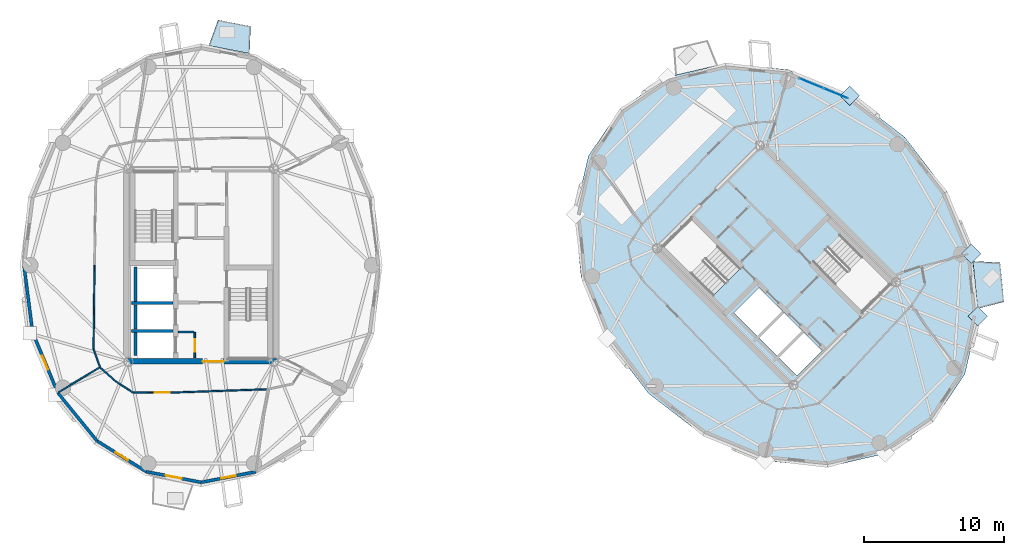
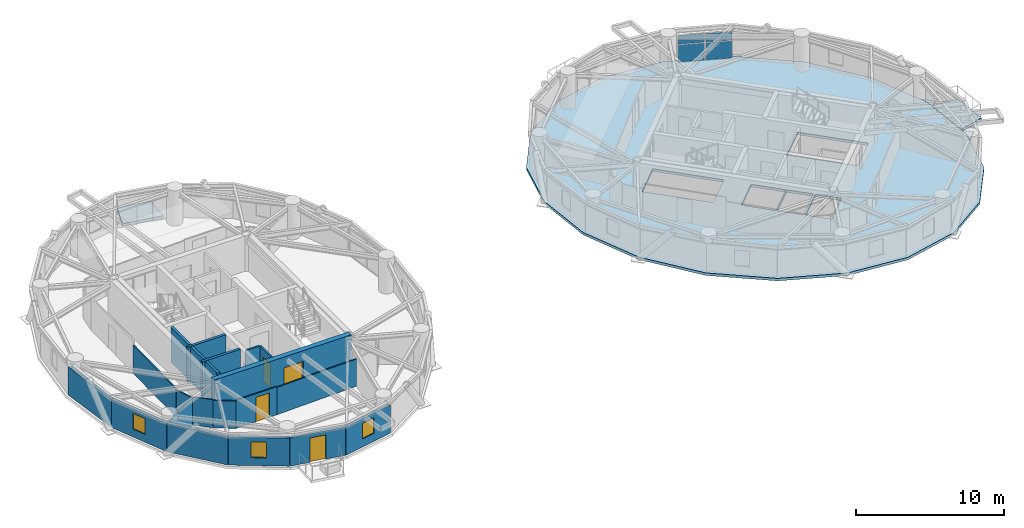
# One storey, part 8 of 16: 21 walls, 7 plates, 4 doors, 3 slabs, 3 windows, 7 openings, 1 element without a shape of its own.
"""IFC4 building model written with IfcOpenShell, lengths in metres."""

from ifc_helpers import new_model, si_unit, direction, frame, frame_2d, origin, origin_2d, place, context, subcontext, project, spatial, polyline, rectangle, outline, extrude, source, transform, mapped, material, layer, layer_set, type_object, element, fill, aggregate, save


model = new_model("IFC4")

# Units and contexts
model_context = context("Model", 3, precision=1e-05, world=origin(), true_north=direction((0.0, 1.0)))
body_context = subcontext(model_context, "Body", "Model", "MODEL_VIEW")
ifc_project = project(units=[si_unit("LENGTHUNIT", "METRE"), si_unit("AREAUNIT", "SQUARE_METRE"), si_unit("VOLUMEUNIT", "CUBIC_METRE"), si_unit("PLANEANGLEUNIT", "RADIAN"), si_unit("MASSUNIT", "GRAM", prefix="KILO")], contexts=[model_context])

# Site, building, storey
site_placement = place(None, origin())
site = spatial("IfcSite", under=ifc_project, at=site_placement, CompositionType="ELEMENT")
building_placement = place(site_placement, origin())
building = spatial("IfcBuilding", under=site, at=building_placement, Name="Cununo Teusaquillo Station Towers", CompositionType="ELEMENT")
storey_placement = place(building_placement, frame((0.0, 0.0, 196.659912109375)))
storey = spatial("IfcBuildingStorey", under=building, at=storey_placement, Name="L62", CompositionType="ELEMENT", Elevation=196.659912109375)

# Slabs
ifc_material_1 = material(Name="Concrete C50/60", Category="concrete")
ifc_layer_1 = layer(ifc_material_1, 0.2099609375)
ifc_layer_set_1 = layer_set([ifc_layer_1], Name="Concrete C50/60")
slab_type_1 = type_object("IfcSlabType", Name="SLB-BAL-210", PredefinedType="FLOOR", material=ifc_layer_set_1)
slab_1_placement = place(storey_placement, frame((0.0, 0.0, -0.2099609375)))
element("IfcSlab", 1, at=slab_1_placement, inside=storey, type_object=slab_type_1, Name="L62 Tower A Tree Balcony Slab 1", PredefinedType="FLOOR", context=body_context, shape_type="SweptSolid", body=[
    extrude(outline(polyline([(19.9501953125, 39.58837890625), (17.041015625, 40.150634765625), (17.69873046875, 41.973876953125), (20.01904296875, 41.525390625), (19.9501953125, 39.58837890625)])), origin(), (0.0, 0.0, 1.0), 0.2099609375),
])
slab_2_placement = place(storey_placement, frame((0.0, 0.0, -0.2099609375)))
element("IfcSlab", 2, at=slab_2_placement, inside=storey, type_object=slab_type_1, Name="L62 Tower B Tree Balcony Slab 2", PredefinedType="FLOOR", context=body_context, shape_type="SweptSolid", body=[
    extrude(outline(polyline([(71.826416015625, 21.403564453125), (71.490478515625, 24.79248046875), (73.42578125, 24.6826171875), (73.702392578125, 21.89111328125), (71.826416015625, 21.403564453125)])), origin(), (0.0, 0.0, 1.0), 0.2099609375),
])
ifc_material_2 = material(Name="Concrete C40/50", Category="concrete")
ifc_layer_2 = layer(ifc_material_2, 0.2099609375)
ifc_layer_set_2 = layer_set([ifc_layer_2], Name="Concrete C40/50")
slab_type_2 = type_object("IfcSlabType", Name="SLB-Z4-200", PredefinedType="FLOOR", material=ifc_layer_set_2)
slab_3_placement = place(storey_placement, frame((0.0, 0.0, -0.2099609375)))
element("IfcSlab", 3, at=slab_3_placement, inside=storey, type_object=slab_type_2, Name="L62 Tower B Floor Slab", PredefinedType="FLOOR", context=body_context, shape_type="SweptSolid", body=[
    extrude(outline(polyline([(66.628662109375, 33.628662109375), (62.740478515625, 36.623291015625), (58.339111328125, 38.431396484375), (53.855712890625, 38.875732421875), (49.72900390625, 37.912841796875), (46.363037109375, 35.636962890625), (44.087158203125, 32.27099609375), (43.124267578125, 28.144287109375), (43.568603515625, 23.660888671875), (45.376708984375, 19.259521484375), (48.371337890625, 15.371337890625), (52.259521484375, 12.376708984375), (56.660888671875, 10.568603515625), (61.144287109375, 10.124267578125), (65.27099609375, 11.087158203125), (68.636962890625, 13.363037109375), (70.912841796875, 16.72900390625), (71.875732421875, 20.855712890625), (71.431396484375, 25.339111328125), (69.623291015625, 29.740478515625), (66.628662109375, 33.628662109375)]), holes=[polyline([(54.914794921875, 24.28515625), (51.390625, 27.809326171875), (49.43896484375, 25.857666015625), (52.963134765625, 22.33349609375), (54.914794921875, 24.28515625)]), polyline([(60.085205078125, 24.71484375), (63.609375, 21.190673828125), (65.56103515625, 23.142333984375), (62.036865234375, 26.66650390625), (60.085205078125, 24.71484375)]), polyline([(56.156494140625, 19.40869140625), (57.945556640625, 21.19775390625), (56.248291015625, 22.89501953125), (54.45947265625, 21.10595703125), (56.156494140625, 19.40869140625)]), polyline([(58.94970703125, 16.61572265625), (60.738525390625, 18.40478515625), (59.430419921875, 19.712890625), (57.641357421875, 17.923828125), (58.94970703125, 16.61572265625)]), polyline([(57.535400390625, 18.030029296875), (59.32421875, 19.819091796875), (58.01611328125, 21.127197265625), (56.227294921875, 19.338134765625), (57.535400390625, 18.030029296875)])]), origin(), (0.0, 0.0, 1.0), 0.2099609375),
])

# Plates
ifc_material_3 = material(Name="Steel ASTM A572 Grade 50", Category="steel")
ifc_layer_3 = layer(ifc_material_3, 0.054931640625)
ifc_layer_set_3 = layer_set([ifc_layer_3], Name="Steel ASTM A572 Grade 50")
plate_type_1 = type_object("IfcPlateType", Name="PLT-NODE-KDN1", PredefinedType="USERDEFINED", material=ifc_layer_set_3)
shared_shape_1 = source(origin(), body_context, "Body", "SweptSolid", [
    extrude(rectangle(XDim=0.97998046875, YDim=0.97998046875, at=origin_2d()), origin(), (0.0, 0.0, 1.0), 0.054931640625),
])
for number, where, z_axis, x_axis, name in (
    (4, (62.713134765625, 36.570068359375, -0.16748046875), (0.0, 0.0, 1.0), (0.707106781187, 0.707106781187, 0.0), "L62 Tower B Diagrid Node Assembly C00"),
    (5, (71.81640625, 20.864990234375, -0.16748046875), (0.0, 0.0, 1.0), (0.707106781187, 0.707106781187, 0.0), "L62 Tower B Diagrid Node Assembly C16"),
    (6, (71.372314453125, 25.329833984375, -0.16748046875), (0.0, 0.0, 1.0), (0.707106781187, 0.707106781187, 0.0), "L62 Tower B Diagrid Node Assembly C18"),
):
    element("IfcPlate", number, at=place(storey_placement, frame(where, z_axis=z_axis, x_axis=x_axis)), inside=storey, type_object=plate_type_1, Name=name, ObjectType="GUSSET PLATE", PredefinedType="USERDEFINED", context=body_context, shape_type="MappedRepresentation", body=[
        mapped(shared_shape_1, transform((0.0, 0.0, 0.0), x_axis=(1.0, 0.0, 0.0), y_axis=(0.0, 1.0, 0.0), z_axis=(0.0, 0.0, 1.0), scale=1.0)),
    ])

# Curtain wall, plates
ifc_material_4 = material(Name="Ceramic-fritted dark low-E double glazing", Category="glass")
ifc_layer_4 = layer(ifc_material_4, 0.179931640625)
ifc_layer_set_4 = layer_set([ifc_layer_4], Name="Ceramic-fritted dark low-E double glazing")
curtain_wall_type = type_object("IfcCurtainWallType", Name="CW-SYS-07", PredefinedType="USERDEFINED", material=ifc_layer_set_4)
curtain_wall_placement = place(storey_placement, origin())
curtain_wall = element("IfcCurtainWall", 7, at=curtain_wall_placement, inside=storey, type_object=curtain_wall_type, Name="L62 Tower B Facade Curtain Wall C01", ObjectType="FRITTED GLAZING", PredefinedType="USERDEFINED")
ifc_material_5 = material(Name="Ceramic-fritted dark low-E double glazing", Category="glass")
ifc_layer_5 = layer(ifc_material_5, 0.028076171875)
ifc_layer_set_5 = layer_set([ifc_layer_5], Name="Ceramic-fritted dark low-E double glazing")
plate_type_2 = type_object("IfcPlateType", Name="CWP-FRIT-28", PredefinedType="CURTAIN_PANEL", material=ifc_layer_set_5)
shared_shape_2 = source(origin(), body_context, "Body", "SweptSolid", [
    extrude(rectangle(XDim=1.81298828125, YDim=0.028076171875, at=origin_2d()), origin(), (0.0, 0.0, 1.0), 1.41162109375),
])
plate_1_placement = place(storey_placement, frame((59.979248046875, 37.46044921875, 0.06494140625), z_axis=(0.0, 0.0, 1.0), x_axis=(0.924447019904, -0.381310513086, 0.0)))
plate_1 = element("IfcPlate", 8, at=plate_1_placement, type_object=plate_type_2, Name="CW-07 panel 1.1", PredefinedType="CURTAIN_PANEL", context=body_context, shape_type="MappedRepresentation", body=[
    mapped(shared_shape_2, transform((0.0, 0.0, 0.0), x_axis=(1.0, 0.0, 0.0), y_axis=(0.0, 1.0, 0.0), z_axis=(0.0, 0.0, 1.0), scale=1.0)),
])
plate_2_placement = place(storey_placement, frame((61.71533203125, 36.744384765625, 0.06494140625), z_axis=(0.0, 0.0, 1.0), x_axis=(0.924447019904, -0.381310513086, 0.0)))
plate_2 = element("IfcPlate", 9, at=plate_2_placement, type_object=plate_type_2, Name="CW-07 panel 2.1", PredefinedType="CURTAIN_PANEL", context=body_context, shape_type="MappedRepresentation", body=[
    mapped(shared_shape_2, transform((0.0, 0.0, 0.0), x_axis=(1.0, 0.0, 0.0), y_axis=(0.0, 1.0, 0.0), z_axis=(0.0, 0.0, 1.0), scale=1.0)),
])
shared_shape_3 = source(origin(), body_context, "Body", "SweptSolid", [
    extrude(rectangle(XDim=1.81298828125, YDim=0.028076171875, at=origin_2d()), origin(), (0.0, 0.0, 1.0), 0.715576171875),
])
plate_3_placement = place(storey_placement, frame((59.979248046875, 37.46044921875, 1.54150390625), z_axis=(0.0, 0.0, 1.0), x_axis=(0.924447019904, -0.381310513086, 0.0)))
plate_3 = element("IfcPlate", 10, at=plate_3_placement, type_object=plate_type_2, Name="CW-07 panel 1.2", PredefinedType="CURTAIN_PANEL", context=body_context, shape_type="MappedRepresentation", body=[
    mapped(shared_shape_3, transform((0.0, 0.0, 0.0), x_axis=(1.0, 0.0, 0.0), y_axis=(0.0, 1.0, 0.0), z_axis=(0.0, 0.0, 1.0), scale=1.0)),
])
plate_4_placement = place(storey_placement, frame((61.71533203125, 36.744384765625, 1.54150390625), z_axis=(0.0, 0.0, 1.0), x_axis=(0.924447019904, -0.381310513086, 0.0)))
plate_4 = element("IfcPlate", 11, at=plate_4_placement, type_object=plate_type_2, Name="CW-07 panel 2.2", PredefinedType="CURTAIN_PANEL", context=body_context, shape_type="MappedRepresentation", body=[
    mapped(shared_shape_3, transform((0.0, 0.0, 0.0), x_axis=(1.0, 0.0, 0.0), y_axis=(0.0, 1.0, 0.0), z_axis=(0.0, 0.0, 1.0), scale=1.0)),
])
aggregate(curtain_wall, [plate_1, plate_3, plate_2, plate_4])

# Walls
ifc_material_6 = material(Name="Concrete C50/60", Category="concrete")
ifc_layer_6 = layer(ifc_material_6, 0.199951171875)
ifc_layer_set_6 = layer_set([ifc_layer_6], Name="Concrete C50/60")
wall_type_1 = type_object("IfcWallType", Name="WL-CORE-200", PredefinedType="SHEAR", material=ifc_layer_set_6)
wall_1_placement = place(storey_placement, frame((11.52001953125, 21.800048828125, 0.0), z_axis=(0.0, 0.0, 1.0), x_axis=(1.0, 0.0, 0.0)))
element("IfcWall", 12, at=wall_1_placement, inside=storey, type_object=wall_type_1, Name="L62 Tower A Firefighting Lift Shaft South Shear Wall", PredefinedType="SHEAR", context=body_context, shape_type="SweptSolid", body=[
    extrude(rectangle(XDim=2.969970703125, YDim=0.199951171875, at=frame_2d((1.48486328125, 0.0))), origin(), (0.0, 0.0, 1.0), 2.91015625),
])
wall_2_placement = place(storey_placement, frame((11.820068359375, 21.919921875, 0.0), z_axis=(0.0, 0.0, 1.0), x_axis=(0.0, 1.0, 0.0)))
element("IfcWall", 13, at=wall_2_placement, inside=storey, type_object=wall_type_1, Name="L62 Tower A Firefighting Lift Shaft Rear Shear Wall", PredefinedType="SHEAR", context=body_context, shape_type="SweptSolid", body=[
    extrude(rectangle(XDim=2.440185546875, YDim=0.199951171875, at=frame_2d((1.22021484375, 0.0))), origin(), (0.0, 0.0, 1.0), 2.91015625),
])
wall_3_placement = place(storey_placement, frame((11.52001953125, 19.824951171875, 0.0), z_axis=(0.0, 0.0, 1.0), x_axis=(1.0, 0.0, 0.0)))
element("IfcWall", 14, at=wall_3_placement, inside=storey, type_object=wall_type_1, Name="L62 Tower A High-Rise Lift Hoistway Divider Shear Wall", PredefinedType="SHEAR", context=body_context, shape_type="SweptSolid", body=[
    extrude(rectangle(XDim=2.969970703125, YDim=0.199951171875, at=frame_2d((1.48486328125, 0.0))), origin(), (0.0, 0.0, 1.0), 2.91015625),
])
wall_4_placement = place(storey_placement, frame((11.820068359375, 19.945068359375, 0.0), z_axis=(0.0, 0.0, 1.0), x_axis=(0.0, 1.0, 0.0)))
element("IfcWall", 15, at=wall_4_placement, inside=storey, type_object=wall_type_1, Name="L62 Tower A High-Rise Lift 2 Shaft Rear Shear Wall", PredefinedType="SHEAR", context=body_context, shape_type="SweptSolid", body=[
    extrude(rectangle(XDim=1.73486328125, YDim=0.199951171875, at=frame_2d((0.867431640625, 0.0))), origin(), (0.0, 0.0, 1.0), 2.91015625),
])
wall_5_placement = place(storey_placement, frame((11.820068359375, 18.070068359375, 0.0), z_axis=(0.0, 0.0, 1.0), x_axis=(0.0, 1.0, 0.0)))
element("IfcWall", 16, at=wall_5_placement, inside=storey, type_object=wall_type_1, Name="L62 Tower A High-Rise Lift 1 Shaft Rear Shear Wall", PredefinedType="SHEAR", context=body_context, shape_type="SweptSolid", body=[
    extrude(rectangle(XDim=1.635009765625, YDim=0.199951171875, at=frame_2d((0.8173828125, 0.0))), origin(), (0.0, 0.0, 1.0), 2.91015625),
])

# Wall, opening, door
ifc_material_7 = material(Name="Concrete C50/60", Category="concrete")
ifc_layer_7 = layer(ifc_material_7, 0.39990234375)
ifc_layer_set_7 = layer_set([ifc_layer_7], Name="Concrete C50/60")
wall_type_2 = type_object("IfcWallType", Name="WL-CORE-400", PredefinedType="SHEAR", material=ifc_layer_set_7)
wall_6_placement = place(storey_placement, frame((11.14990234375, 17.64990234375, 0.0), z_axis=(0.0, 0.0, 1.0), x_axis=(1.0, 0.0, 0.0)))
wall_6 = element("IfcWall", 17, at=wall_6_placement, inside=storey, type_object=wall_type_2, Name="L62 Tower A Core Shear Wall S", PredefinedType="SHEAR", context=body_context, shape_type="SweptSolid", body=[
    extrude(rectangle(XDim=10.7001953125, YDim=0.39990234375, at=frame_2d((5.35009765625, 0.0))), origin(), (0.0, 0.0, 1.0), 2.91015625),
])
shared_shape_4 = source(origin(), body_context, "Body", "SweptSolid", [
    extrude(rectangle(XDim=1.5, YDim=2.02001953125, at=frame_2d((0.75, 1.010009765625))), frame((0.0, 0.2099609375, 0.0), z_axis=(0.0, -1.0, 0.0), x_axis=(1.0, 0.0, 0.0)), (0.0, 0.0, 1.0), 0.419921875),
])
opening_1_placement = place(wall_6_placement, frame((5.449951171875, 0.0, 0.0)))
opening_1 = element("IfcOpeningElement", 18, at=opening_1_placement, cuts=wall_6, Name="Opening D-LB1", PredefinedType="OPENING", context=body_context, shape_type="MappedRepresentation", body=[
    mapped(shared_shape_4, transform((0.0, 0.0, 0.0), x_axis=(1.0, 0.0, 0.0), y_axis=(0.0, 1.0, 0.0), z_axis=(0.0, 0.0, 1.0), scale=1.0)),
])
ifc_material_8 = material(Name="Galvanised fire-rated hollow steel door assembly", Category="steel")
door_type_1 = type_object("IfcDoorType", Name="DR-LOBBY-1500", OperationType="DOUBLE_DOOR_SINGLE_SWING", PredefinedType="DOOR", material=ifc_material_8)
shared_shape_5 = source(origin(), body_context, "Body", "SweptSolid", [
    extrude(rectangle(XDim=1.5, YDim=2.02001953125, at=frame_2d((0.75, 1.010009765625))), frame((0.0, 0.02490234375, 0.0), z_axis=(0.0, -1.0, 0.0), x_axis=(1.0, 0.0, 0.0)), (0.0, 0.0, 1.0), 0.050048828125),
])
door_1_placement = place(opening_1_placement, origin())
door_1 = element("IfcDoor", 19, at=door_1_placement, inside=storey, type_object=door_type_1, Name="L62 Tower A South Core Lift Lobby Door", OperationType="DOUBLE_DOOR_SINGLE_SWING", OverallHeight=2.02001953125, OverallWidth=1.5, PredefinedType="DOOR", context=body_context, shape_type="MappedRepresentation", body=[
    mapped(shared_shape_5, transform((0.0, 0.0, 0.0), x_axis=(1.0, 0.0, 0.0), y_axis=(0.0, 1.0, 0.0), z_axis=(0.0, 0.0, 1.0), scale=1.0)),
])
fill(opening_1, door_1)

# Wall
ifc_material_9 = material(Name="Precast concrete C40/50", Category="concrete")
ifc_layer_8 = layer(ifc_material_9, 0.219970703125)
ifc_layer_set_8 = layer_set([ifc_layer_8], Name="Precast concrete C40/50")
wall_type_3 = type_object("IfcWallType", Name="WL-EXT-220", PredefinedType="SOLIDWALL", material=ifc_layer_set_8)
wall_7_placement = place(storey_placement, frame((4.48828125, 19.719482421875, 0.0), z_axis=(0.0, 0.0, 1.0), x_axis=(-0.128241318541, 0.991742993027, 0.0)))
element("IfcWall", 20, at=wall_7_placement, inside=storey, type_object=wall_type_3, Name="L62 Tower A Exterior Facade Wall C10", PredefinedType="SOLIDWALL", context=body_context, shape_type="SweptSolid", body=[
    extrude(rectangle(XDim=4.8203125, YDim=0.219970703125, at=frame_2d((2.41015625, 0.0))), origin(), (0.0, 0.0, 1.0), 2.322021484375),
])

# Wall, opening, window
wall_8_placement = place(storey_placement, frame((6.281982421875, 15.406982421875, 0.0), z_axis=(0.0, 0.0, 1.0), x_axis=(-0.384036305194, 0.923317993052, 0.0)))
wall_8 = element("IfcWall", 21, at=wall_8_placement, inside=storey, type_object=wall_type_3, Name="L62 Tower A Exterior Facade Wall C11", PredefinedType="SOLIDWALL", context=body_context, shape_type="SweptSolid", body=[
    extrude(rectangle(XDim=4.670654296875, YDim=0.219970703125, at=frame_2d((2.33544921875, 0.0))), origin(), (0.0, 0.0, 1.0), 2.322021484375),
])
shared_shape_6 = source(origin(), body_context, "Body", "SweptSolid", [
    extrude(rectangle(XDim=1.050048828125, YDim=1.300048828125, at=frame_2d((0.52490234375, 0.64990234375))), frame((0.0, 0.119873046875, 0.0), z_axis=(0.0, -1.0, 0.0), x_axis=(1.0, 0.0, 0.0)), (0.0, 0.0, 1.0), 0.239990234375),
])
opening_2_placement = place(wall_8_placement, frame((1.81005859375, 0.0, 0.64990234375)))
opening_2 = element("IfcOpeningElement", 22, at=opening_2_placement, cuts=wall_8, Name="Opening WN-04", PredefinedType="OPENING", context=body_context, shape_type="MappedRepresentation", body=[
    mapped(shared_shape_6, transform((0.0, 0.0, 0.0), x_axis=(1.0, 0.0, 0.0), y_axis=(0.0, 1.0, 0.0), z_axis=(0.0, 0.0, 1.0), scale=1.0)),
])
ifc_material_10 = material(Name="Operable acoustic tinted low-E double glazing", Category="glass")
window_type = type_object("IfcWindowType", Name="WIN-BAL-1050", PartitioningType="SINGLE_PANEL", PredefinedType="WINDOW", material=ifc_material_10)
shared_shape_7 = source(origin(), body_context, "Body", "SweptSolid", [
    extrude(rectangle(XDim=1.050048828125, YDim=1.300048828125, at=frame_2d((0.52490234375, 0.64990234375))), frame((0.0, 0.030029296875, 0.0), z_axis=(0.0, -1.0, 0.0), x_axis=(1.0, 0.0, 0.0)), (0.0, 0.0, 1.0), 0.06005859375),
])
window_1_placement = place(opening_2_placement, origin())
window_1 = element("IfcWindow", 23, at=window_1_placement, inside=storey, type_object=window_type, Name="L62 Tower A Facade Window C11", OverallHeight=1.300048828125, OverallWidth=1.050048828125, PartitioningType="SINGLE_PANEL", PredefinedType="WINDOW", context=body_context, shape_type="MappedRepresentation", body=[
    mapped(shared_shape_7, transform((0.0, 0.0, 0.0), x_axis=(1.0, 0.0, 0.0), y_axis=(0.0, 1.0, 0.0), z_axis=(0.0, 0.0, 1.0), scale=1.0)),
])
fill(opening_2, window_1)

# Wall
wall_9_placement = place(storey_placement, frame((9.076416015625, 11.984619140625, 0.0), z_axis=(0.0, 0.0, 1.0), x_axis=(-0.632467166636, 0.774587169483, 0.0)))
element("IfcWall", 24, at=wall_9_placement, inside=storey, type_object=wall_type_3, Name="L62 Tower A Exterior Facade Wall C12", PredefinedType="SOLIDWALL", context=body_context, shape_type="SweptSolid", body=[
    extrude(rectangle(XDim=4.418212890625, YDim=0.219970703125, at=frame_2d((2.208984375, 0.0))), origin(), (0.0, 0.0, 1.0), 2.322021484375),
])

# Wall, opening, window
wall_10_placement = place(storey_placement, frame((12.59716796875, 9.787109375, 0.0), z_axis=(0.0, 0.0, 1.0), x_axis=(-0.848318713376, 0.529485939886, 0.0)))
wall_10 = element("IfcWall", 25, at=wall_10_placement, inside=storey, type_object=wall_type_3, Name="L62 Tower A Exterior Facade Wall C13", PredefinedType="SOLIDWALL", context=body_context, shape_type="SweptSolid", body=[
    extrude(rectangle(XDim=4.150390625, YDim=0.219970703125, at=frame_2d((2.0751953125, 0.0))), origin(), (0.0, 0.0, 1.0), 2.322021484375),
])
opening_3_placement = place(wall_10_placement, frame((1.550048828125, 0.0, 0.64990234375)))
opening_3 = element("IfcOpeningElement", 26, at=opening_3_placement, cuts=wall_10, Name="Opening WN-04", PredefinedType="OPENING", context=body_context, shape_type="MappedRepresentation", body=[
    mapped(shared_shape_6, transform((0.0, 0.0, 0.0), x_axis=(1.0, 0.0, 0.0), y_axis=(0.0, 1.0, 0.0), z_axis=(0.0, 0.0, 1.0), scale=1.0)),
])
window_2_placement = place(opening_3_placement, origin())
window_2 = element("IfcWindow", 27, at=window_2_placement, inside=storey, type_object=window_type, Name="L62 Tower A Facade Window C13", OverallHeight=1.300048828125, OverallWidth=1.050048828125, PartitioningType="SINGLE_PANEL", PredefinedType="WINDOW", context=body_context, shape_type="MappedRepresentation", body=[
    mapped(shared_shape_7, transform((0.0, 0.0, 0.0), x_axis=(1.0, 0.0, 0.0), y_axis=(0.0, 1.0, 0.0), z_axis=(0.0, 0.0, 1.0), scale=1.0)),
])
fill(opening_3, window_2)

# Wall, opening, door
wall_11_placement = place(storey_placement, frame((16.5, 9.030029296875, 0.0), z_axis=(0.0, 0.0, 1.0), x_axis=(-0.981700307484, 0.190432419211, 0.0)))
wall_11 = element("IfcWall", 28, at=wall_11_placement, inside=storey, type_object=wall_type_3, Name="L62 Tower A Exterior Facade Wall C14", PredefinedType="SOLIDWALL", context=body_context, shape_type="SweptSolid", body=[
    extrude(rectangle(XDim=3.9755859375, YDim=0.219970703125, at=frame_2d((1.98779296875, 0.0))), origin(), (0.0, 0.0, 1.0), 2.322021484375),
])
shared_shape_8 = source(origin(), body_context, "Body", "SweptSolid", [
    extrude(rectangle(XDim=1.14990234375, YDim=2.0048828125, at=frame_2d((0.574951171875, 1.00244140625))), frame((0.0, 0.119873046875, 0.0), z_axis=(0.0, -1.0, 0.0), x_axis=(1.0, 0.0, 0.0)), (0.0, 0.0, 1.0), 0.239990234375),
])
opening_4_placement = place(wall_11_placement, frame((1.4130859375, 0.0, 0.0)))
opening_4 = element("IfcOpeningElement", 29, at=opening_4_placement, cuts=wall_11, Name="Opening ED-03", PredefinedType="OPENING", context=body_context, shape_type="MappedRepresentation", body=[
    mapped(shared_shape_8, transform((0.0, 0.0, 0.0), x_axis=(1.0, 0.0, 0.0), y_axis=(0.0, 1.0, 0.0), z_axis=(0.0, 0.0, 1.0), scale=1.0)),
])
ifc_material_11 = material(Name="Anodised dark bronze aluminium EN AW-6063-T6", Category="aluminium")
door_type_2 = type_object("IfcDoorType", Name="DR-EXT-BAL", OperationType="NOTDEFINED", PredefinedType="DOOR", material=ifc_material_11)
shared_shape_9 = source(origin(), body_context, "Body", "SweptSolid", [
    extrude(rectangle(XDim=1.14990234375, YDim=2.0048828125, at=frame_2d((0.574951171875, 1.00244140625))), frame((0.0, 0.02490234375, 0.0), z_axis=(0.0, -1.0, 0.0), x_axis=(1.0, 0.0, 0.0)), (0.0, 0.0, 1.0), 0.050048828125),
])
door_2_placement = place(opening_4_placement, origin())
door_2 = element("IfcDoor", 30, at=door_2_placement, inside=storey, type_object=door_type_2, Name="L62 Tower A Tree Balcony Door C14", OperationType="SINGLE_SWING_LEFT", OverallHeight=2.0048828125, OverallWidth=1.14990234375, PredefinedType="DOOR", context=body_context, shape_type="MappedRepresentation", body=[
    mapped(shared_shape_9, transform((0.0, 0.0, 0.0), x_axis=(1.0, 0.0, 0.0), y_axis=(0.0, 1.0, 0.0), z_axis=(0.0, 0.0, 1.0), scale=1.0)),
])
fill(opening_4, door_2)

# Wall, opening, window
wall_12_placement = place(storey_placement, frame((20.40283203125, 9.787109375, 0.0), z_axis=(0.0, 0.0, 1.0), x_axis=(-0.981700307484, -0.190432419211, 0.0)))
wall_12 = element("IfcWall", 31, at=wall_12_placement, inside=storey, type_object=wall_type_3, Name="L62 Tower A Exterior Facade Wall C15", PredefinedType="SOLIDWALL", context=body_context, shape_type="SweptSolid", body=[
    extrude(rectangle(XDim=3.9755859375, YDim=0.219970703125, at=frame_2d((1.98779296875, 0.0))), origin(), (0.0, 0.0, 1.0), 2.322021484375),
])
opening_5_placement = place(wall_12_placement, frame((1.462890625, 0.0, 0.64990234375)))
opening_5 = element("IfcOpeningElement", 32, at=opening_5_placement, cuts=wall_12, Name="Opening WN-04", PredefinedType="OPENING", context=body_context, shape_type="MappedRepresentation", body=[
    mapped(shared_shape_6, transform((0.0, 0.0, 0.0), x_axis=(1.0, 0.0, 0.0), y_axis=(0.0, 1.0, 0.0), z_axis=(0.0, 0.0, 1.0), scale=1.0)),
])
window_3_placement = place(opening_5_placement, origin())
window_3 = element("IfcWindow", 33, at=window_3_placement, inside=storey, type_object=window_type, Name="L62 Tower A Facade Window C15", OverallHeight=1.300048828125, OverallWidth=1.050048828125, PartitioningType="SINGLE_PANEL", PredefinedType="WINDOW", context=body_context, shape_type="MappedRepresentation", body=[
    mapped(shared_shape_7, transform((0.0, 0.0, 0.0), x_axis=(1.0, 0.0, 0.0), y_axis=(0.0, 1.0, 0.0), z_axis=(0.0, 0.0, 1.0), scale=1.0)),
])
fill(opening_5, window_3)

# Walls
ifc_material_12 = material(Name="Fire-rated gypsum plasterboard partition assembly", Category="gypsum")
ifc_layer_9 = layer(ifc_material_12, 0.10009765625)
ifc_layer_set_9 = layer_set([ifc_layer_9], Name="Fire-rated gypsum plasterboard partition assembly")
wall_type_4 = type_object("IfcWallType", Name="WL-PART-100", PredefinedType="MOVABLE", material=ifc_layer_set_9)
wall_13_placement = place(storey_placement, frame((8.89990234375, 24.5, 0.0), z_axis=(0.0, 0.0, 1.0), x_axis=(-0.011416369353, -0.999934831132, 0.0)))
element("IfcWall", 34, at=wall_13_placement, inside=storey, type_object=wall_type_4, Name="L62 Tower A Corridor Ring Wall C10", PredefinedType="MOVABLE", context=body_context, shape_type="SweptSolid", body=[
    extrude(rectangle(XDim=5.966552734375, YDim=0.10009765625, at=frame_2d((2.9833984375, 0.0))), origin(), (0.0, 0.0, 1.0), 2.322021484375),
])
wall_14_placement = place(storey_placement, frame((8.831787109375, 18.533935546875, 0.0), z_axis=(0.0, 0.0, 1.0), x_axis=(0.332031819657, -0.943268186008, 0.0)))
element("IfcWall", 35, at=wall_14_placement, inside=storey, type_object=wall_type_4, Name="L62 Tower A Corridor Ring Wall C11", PredefinedType="MOVABLE", context=body_context, shape_type="SweptSolid", body=[
    extrude(rectangle(XDim=1.377197265625, YDim=0.10009765625, at=frame_2d((0.6884765625, 0.0))), origin(), (0.0, 0.0, 1.0), 2.255126953125),
])
wall_15_placement = place(storey_placement, frame((9.2890625, 17.23486328125, 0.0), z_axis=(0.0, 0.0, 1.0), x_axis=(0.739015164946, -0.673688790155, 0.0)))
element("IfcWall", 36, at=wall_15_placement, inside=storey, type_object=wall_type_4, Name="L62 Tower A Corridor Ring Wall C12", PredefinedType="MOVABLE", context=body_context, shape_type="SweptSolid", body=[
    extrude(rectangle(XDim=1.4462890625, YDim=0.10009765625, at=frame_2d((0.72314453125, 0.0))), origin(), (0.0, 0.0, 1.0), 2.322021484375),
])
wall_16_placement = place(storey_placement, frame((10.35791015625, 16.260498046875, 0.0), z_axis=(0.0, 0.0, 1.0), x_axis=(0.838265397059, -0.545262435983, 0.0)))
element("IfcWall", 37, at=wall_16_placement, inside=storey, type_object=wall_type_4, Name="L62 Tower A Corridor Ring Wall C13", PredefinedType="MOVABLE", context=body_context, shape_type="SweptSolid", body=[
    extrude(rectangle(XDim=1.533935546875, YDim=0.10009765625, at=frame_2d((0.76708984375, 0.0))), origin(), (0.0, 0.0, 1.0), 2.255126953125),
])

# Wall, opening, door
wall_17_placement = place(storey_placement, frame((11.643798828125, 15.424072265625, 0.0), z_axis=(0.0, 0.0, 1.0), x_axis=(0.999986552511, 0.005186019339, 0.0)))
wall_17 = element("IfcWall", 38, at=wall_17_placement, inside=storey, type_object=wall_type_4, Name="L62 Tower A Corridor Ring Wall C14", PredefinedType="MOVABLE", context=body_context, shape_type="SweptSolid", body=[
    extrude(rectangle(XDim=3.201171875, YDim=0.10009765625, at=frame_2d((1.6005859375, 0.0))), origin(), (0.0, 0.0, 1.0), 2.322021484375),
])
shared_shape_10 = source(origin(), body_context, "Body", "SweptSolid", [
    extrude(rectangle(XDim=1.050048828125, YDim=2.014892578125, at=frame_2d((0.52490234375, 1.00732421875))), frame((0.0, 0.06005859375, 0.0), z_axis=(0.0, -1.0, 0.0), x_axis=(1.0, 0.0, 0.0)), (0.0, 0.0, 1.0), 0.1201171875),
])
opening_6_placement = place(wall_17_placement, frame((1.553466796875, 0.0, 0.0)))
opening_6 = element("IfcOpeningElement", 39, at=opening_6_placement, cuts=wall_17, Name="Opening D-SU1", PredefinedType="OPENING", context=body_context, shape_type="MappedRepresentation", body=[
    mapped(shared_shape_10, transform((0.0, 0.0, 0.0), x_axis=(1.0, 0.0, 0.0), y_axis=(0.0, 1.0, 0.0), z_axis=(0.0, 0.0, 1.0), scale=1.0)),
])
ifc_material_13 = material(Name="Acoustic solid-core hardwood leaf assembly", Category="wood")
door_type_3 = type_object("IfcDoorType", Name="DR-SUITE-1050", OperationType="NOTDEFINED", PredefinedType="DOOR", material=ifc_material_13)
shared_shape_11 = source(origin(), body_context, "Body", "SweptSolid", [
    extrude(rectangle(XDim=1.050048828125, YDim=2.014892578125, at=frame_2d((0.52490234375, 1.00732421875))), frame((0.0, 0.02490234375, 0.0), z_axis=(0.0, -1.0, 0.0), x_axis=(1.0, 0.0, 0.0)), (0.0, 0.0, 1.0), 0.050048828125),
])
door_3_placement = place(opening_6_placement, origin())
door_3 = element("IfcDoor", 40, at=door_3_placement, inside=storey, type_object=door_type_3, Name="L62 Tower A Summit Client Reception Salon Entrance Door", OperationType="SINGLE_SWING_LEFT", OverallHeight=2.014892578125, OverallWidth=1.050048828125, PredefinedType="DOOR", context=body_context, shape_type="MappedRepresentation", body=[
    mapped(shared_shape_11, transform((0.0, 0.0, 0.0), x_axis=(1.0, 0.0, 0.0), y_axis=(0.0, 1.0, 0.0), z_axis=(0.0, 0.0, 1.0), scale=1.0)),
])
fill(opening_6, door_3)

# Walls
wall_18_placement = place(storey_placement, frame((14.844970703125, 15.440673828125, 0.0), z_axis=(0.0, 0.0, 1.0), x_axis=(0.99938794868, 0.034981824334, 0.0)))
element("IfcWall", 41, at=wall_18_placement, inside=storey, type_object=wall_type_4, Name="L62 Tower A Corridor Ring Wall C15", PredefinedType="MOVABLE", context=body_context, shape_type="SweptSolid", body=[
    extrude(rectangle(XDim=6.392822265625, YDim=0.10009765625, at=frame_2d((3.1962890625, 0.0))), origin(), (0.0, 0.0, 1.0), 2.255126953125),
])
wall_19_placement = place(storey_placement, frame((9.2890625, 17.23486328125, 0.0), z_axis=(0.0, 0.0, 1.0), x_axis=(-0.854741081983, -0.519054604806, 0.0)))
element("IfcWall", 42, at=wall_19_placement, inside=storey, type_object=wall_type_4, Name="L62 Tower A Radial Suite Partition R03", PredefinedType="MOVABLE", context=body_context, shape_type="SweptSolid", body=[
    extrude(rectangle(XDim=3.4990234375, YDim=0.10009765625, at=frame_2d((1.74951171875, 0.0))), origin(), (0.0, 0.0, 1.0), 2.322021484375),
])

# Wall, opening, door
ifc_material_14 = material(Name="Fire-rated gypsum plasterboard partition assembly", Category="gypsum")
ifc_layer_10 = layer(ifc_material_14, 0.125)
ifc_layer_set_10 = layer_set([ifc_layer_10], Name="Fire-rated gypsum plasterboard partition assembly")
wall_type_5 = type_object("IfcWallType", Name="WL-PART-125", PredefinedType="PARTITIONING", material=ifc_layer_set_10)
wall_20_placement = place(storey_placement, frame((16.050048828125, 17.919921875, 0.0), z_axis=(0.0, 0.0, 1.0), x_axis=(0.0, 1.0, 0.0)))
wall_20 = element("IfcWall", 43, at=wall_20_placement, inside=storey, type_object=wall_type_5, Name="L62 Tower A South-West Compact Store East Wall", PredefinedType="PARTITIONING", context=body_context, shape_type="SweptSolid", body=[
    extrude(rectangle(XDim=1.800048828125, YDim=0.125, at=frame_2d((0.89990234375, 0.0))), origin(), (0.0, 0.0, 1.0), 2.68505859375),
])
shared_shape_12 = source(origin(), body_context, "Body", "SweptSolid", [
    extrude(rectangle(XDim=0.89990234375, YDim=2.0048828125, at=frame_2d((0.449951171875, 1.00244140625))), frame((0.0, 0.072509765625, 0.0), z_axis=(0.0, -1.0, 0.0), x_axis=(1.0, 0.0, 0.0)), (0.0, 0.0, 1.0), 0.14501953125),
])
opening_7_placement = place(wall_20_placement, frame((0.419921875, 0.0, 0.0)))
opening_7 = element("IfcOpeningElement", 44, at=opening_7_placement, cuts=wall_20, Name="Opening D-SR1", PredefinedType="OPENING", context=body_context, shape_type="MappedRepresentation", body=[
    mapped(shared_shape_12, transform((0.0, 0.0, 0.0), x_axis=(1.0, 0.0, 0.0), y_axis=(0.0, 1.0, 0.0), z_axis=(0.0, 0.0, 1.0), scale=1.0)),
])
ifc_material_15 = material(Name="Galvanised fire-rated hollow steel door assembly", Category="steel")
door_type_4 = type_object("IfcDoorType", Name="DR-STORE-900", OperationType="NOTDEFINED", PredefinedType="DOOR", material=ifc_material_15)
shared_shape_13 = source(origin(), body_context, "Body", "SweptSolid", [
    extrude(rectangle(XDim=0.89990234375, YDim=2.0048828125, at=frame_2d((0.449951171875, 1.00244140625))), frame((0.0, 0.02490234375, 0.0), z_axis=(0.0, -1.0, 0.0), x_axis=(1.0, 0.0, 0.0)), (0.0, 0.0, 1.0), 0.050048828125),
])
door_4_placement = place(opening_7_placement, origin())
door_4 = element("IfcDoor", 45, at=door_4_placement, inside=storey, type_object=door_type_4, Name="L62 Tower A Core Electrical & Comms Store Door", OperationType="SINGLE_SWING_RIGHT", OverallHeight=2.0048828125, OverallWidth=0.89990234375, PredefinedType="DOOR", context=body_context, shape_type="MappedRepresentation", body=[
    mapped(shared_shape_13, transform((0.0, 0.0, 0.0), x_axis=(1.0, 0.0, 0.0), y_axis=(0.0, 1.0, 0.0), z_axis=(0.0, 0.0, 1.0), scale=1.0)),
])
fill(opening_7, door_4)

# Wall
wall_21_placement = place(storey_placement, frame((14.8798828125, 19.75, 0.0), z_axis=(0.0, 0.0, 1.0), x_axis=(1.0, 0.0, 0.0)))
element("IfcWall", 46, at=wall_21_placement, inside=storey, type_object=wall_type_5, Name="L62 Tower A South-West Compact Store North Wall", PredefinedType="PARTITIONING", context=body_context, shape_type="SweptSolid", body=[
    extrude(rectangle(XDim=1.10009765625, YDim=0.125, at=frame_2d((0.550048828125, 0.0))), origin(), (0.0, 0.0, 1.0), 2.68505859375),
])

save(model, "model.ifc")
